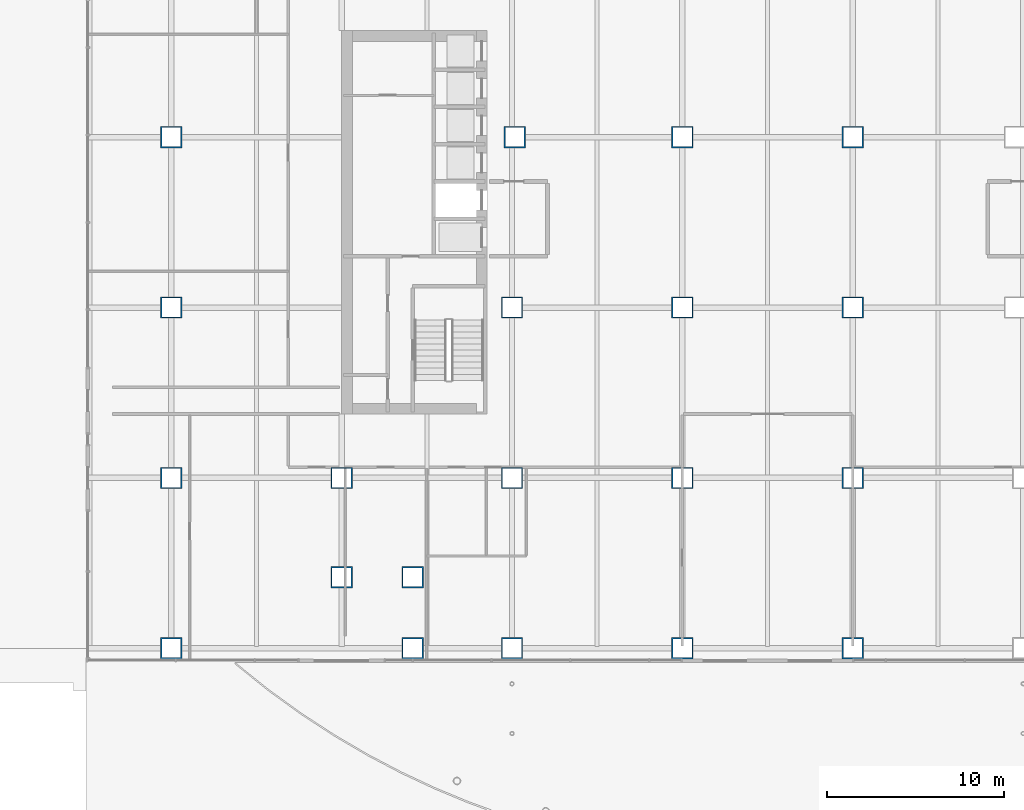
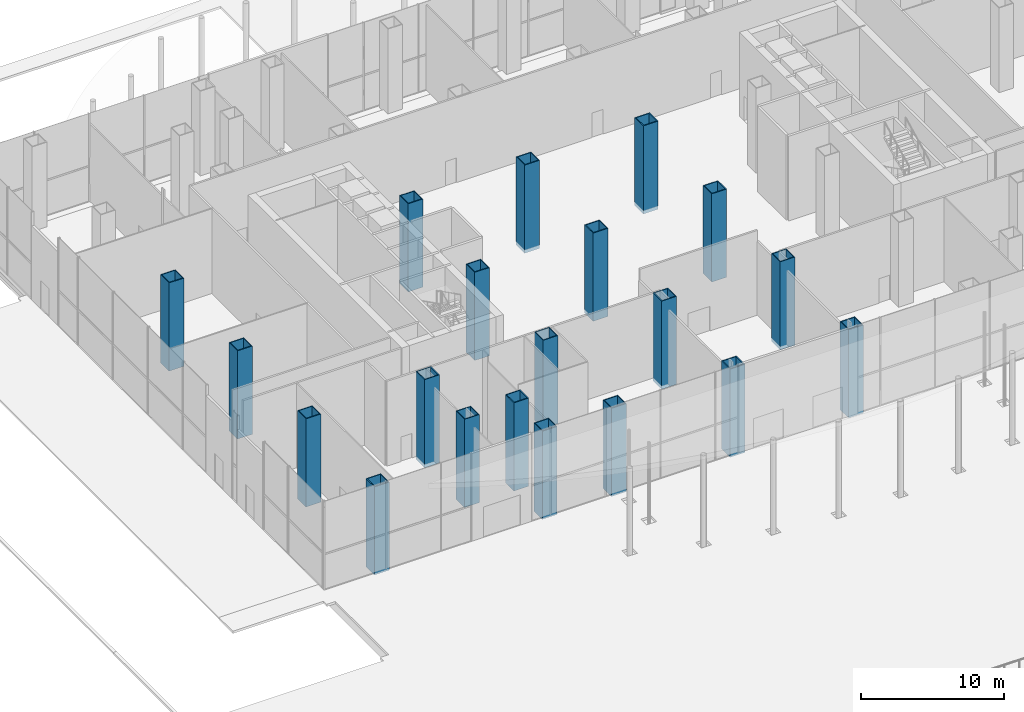
# One storey, part 3 of 36: 20 columns.
"""IFC4 building model written with IfcOpenShell, lengths in metres."""

from ifc_helpers import new_model, si_unit, direction, frame, origin, origin_2d, place, context, subcontext, project, spatial, hollow_rectangle, extrude, material, material_profile, profile_set, type_object, element, save


model = new_model("IFC4")

# Units and contexts
model_context = context("Model", 3, precision=1e-05, world=origin(), true_north=direction((0.0, 1.0)))
body_context = subcontext(model_context, "Body", "Model", "MODEL_VIEW")
ifc_project = project(units=[si_unit("LENGTHUNIT", "METRE"), si_unit("AREAUNIT", "SQUARE_METRE"), si_unit("VOLUMEUNIT", "CUBIC_METRE"), si_unit("PLANEANGLEUNIT", "RADIAN"), si_unit("MASSUNIT", "GRAM", prefix="KILO")], contexts=[model_context])

# Site, building, storey
site_placement = place(None, origin())
site = spatial("IfcSite", under=ifc_project, at=site_placement, CompositionType="ELEMENT")
building_placement = place(site_placement, origin())
building = spatial("IfcBuilding", under=site, at=building_placement, Name="Cobrizo Arcos Hotel Tower", CompositionType="ELEMENT")
storey_placement = place(building_placement, origin())
storey = spatial("IfcBuildingStorey", under=building, at=storey_placement, Name="L00", CompositionType="ELEMENT", Elevation=0.0)

# Columns
ifc_material = material(Name="Steel ASTM A572 Grade 50", Category="steel")
ifc_material_profile_1 = material_profile(ifc_material, hollow_rectangle(XDim=1.199951171875, YDim=1.199951171875, WallThickness=0.070068359375, at=origin_2d()), Name="BOX 1200X1200X70")
ifc_profile_set_1 = profile_set([ifc_material_profile_1], Name="Steel ASTM A572 Grade 50")
column_type_1 = type_object("IfcColumnType", Name="BOX 1200X1200X70 column", PredefinedType="COLUMN", material=ifc_profile_set_1)
for number, where, z_axis, x_axis, name in (
    (1, (-33.60009765625, -24.0, -0.300048828125), (0.0, 0.0, 1.0), (1.0, 0.0, 0.0), "Perimeter column C1, L00, no. 00"),
    (2, (-33.60009765625, -14.39990234375, -0.300048828125), (0.0, 0.0, 1.0), (1.0, 0.0, 0.0), "Perimeter column C1, L00, no. 01"),
    (3, (-33.60009765625, -4.800048828125, -0.300048828125), (0.0, 0.0, 1.0), (1.0, 0.0, 0.0), "Perimeter column C1, L00, no. 02"),
    (4, (-33.60009765625, 4.800048828125, -0.300048828125), (0.0, 0.0, 1.0), (1.0, 0.0, 0.0), "Perimeter column C1, L00, no. 03"),
    (5, (-20.0, -24.0, -0.300048828125), (0.0, 0.0, 1.0), (1.0, 0.0, 0.0), "Perimeter column C1, L00, no. 06"),
    (6, (-14.39990234375, -24.0, -0.300048828125), (0.0, 0.0, 1.0), (1.0, 0.0, 0.0), "Perimeter column C1, L00, no. 08"),
    (7, (-4.800048828125, -24.0, -0.300048828125), (0.0, 0.0, 1.0), (1.0, 0.0, 0.0), "Perimeter column C1, L00, no. 10"),
    (8, (4.800048828125, -24.0, -0.300048828125), (0.0, 0.0, 1.0), (1.0, 0.0, 0.0), "Perimeter column C1, L00, no. 12"),
):
    element("IfcColumn", number, at=place(storey_placement, frame(where, z_axis=z_axis, x_axis=x_axis)), inside=storey, type_object=column_type_1, Name=name, PredefinedType="COLUMN", context=body_context, shape_type="SweptSolid", body=[
        extrude(hollow_rectangle(XDim=1.199951171875, YDim=1.199951171875, WallThickness=0.070068359375, at=origin_2d()), origin(), (0.0, 0.0, 1.0), 7.550048828125),
    ])
ifc_material_profile_2 = material_profile(ifc_material, hollow_rectangle(XDim=1.199951171875, YDim=1.199951171875, WallThickness=0.070068359375, at=origin_2d()), Name="BOX 1200X1200X70")
ifc_profile_set_2 = profile_set([ifc_material_profile_2], Name="Steel ASTM A572 Grade 50")
column_type_2 = type_object("IfcColumnType", Name="BOX 1200X1200X70 interior column", PredefinedType="COLUMN", material=ifc_profile_set_2)
for number, where, z_axis, x_axis, name in (
    (9, (-24.0, -20.0, -0.300048828125), (0.0, 0.0, 1.0), (1.0, 0.0, 0.0), "Interior column C2, L00, no. 00"),
    (10, (-24.0, -14.39990234375, -0.300048828125), (0.0, 0.0, 1.0), (1.0, 0.0, 0.0), "Interior column C2, L00, no. 01"),
    (11, (-20.0, -20.0, -0.300048828125), (0.0, 0.0, 1.0), (1.0, 0.0, 0.0), "Interior column C2, L00, no. 04"),
    (12, (-14.39990234375, -14.39990234375, -0.300048828125), (0.0, 0.0, 1.0), (1.0, 0.0, 0.0), "Interior column C2, L00, no. 06"),
    (13, (-14.39990234375, -4.800048828125, -0.300048828125), (0.0, 0.0, 1.0), (1.0, 0.0, 0.0), "Interior column C2, L00, no. 07"),
    (14, (-14.25, 4.800048828125, -0.300048828125), (0.0, 0.0, 1.0), (1.0, 0.0, 0.0), "Interior column C2, L00, no. 08"),
    (15, (-4.800048828125, -14.39990234375, -0.300048828125), (0.0, 0.0, 1.0), (1.0, 0.0, 0.0), "Interior column C2, L00, no. 10"),
    (16, (-4.800048828125, -4.800048828125, -0.300048828125), (0.0, 0.0, 1.0), (1.0, 0.0, 0.0), "Interior column C2, L00, no. 11"),
    (17, (-4.800048828125, 4.800048828125, -0.300048828125), (0.0, 0.0, 1.0), (1.0, 0.0, 0.0), "Interior column C2, L00, no. 12"),
    (18, (4.800048828125, -14.39990234375, -0.300048828125), (0.0, 0.0, 1.0), (1.0, 0.0, 0.0), "Interior column C2, L00, no. 14"),
    (19, (4.800048828125, -4.800048828125, -0.300048828125), (0.0, 0.0, 1.0), (1.0, 0.0, 0.0), "Interior column C2, L00, no. 15"),
    (20, (4.800048828125, 4.800048828125, -0.300048828125), (0.0, 0.0, 1.0), (1.0, 0.0, 0.0), "Interior column C2, L00, no. 16"),
):
    element("IfcColumn", number, at=place(storey_placement, frame(where, z_axis=z_axis, x_axis=x_axis)), inside=storey, type_object=column_type_2, Name=name, PredefinedType="COLUMN", context=body_context, shape_type="SweptSolid", body=[
        extrude(hollow_rectangle(XDim=1.199951171875, YDim=1.199951171875, WallThickness=0.070068359375, at=origin_2d()), origin(), (0.0, 0.0, 1.0), 7.550048828125),
    ])

save(model, "model.ifc")
